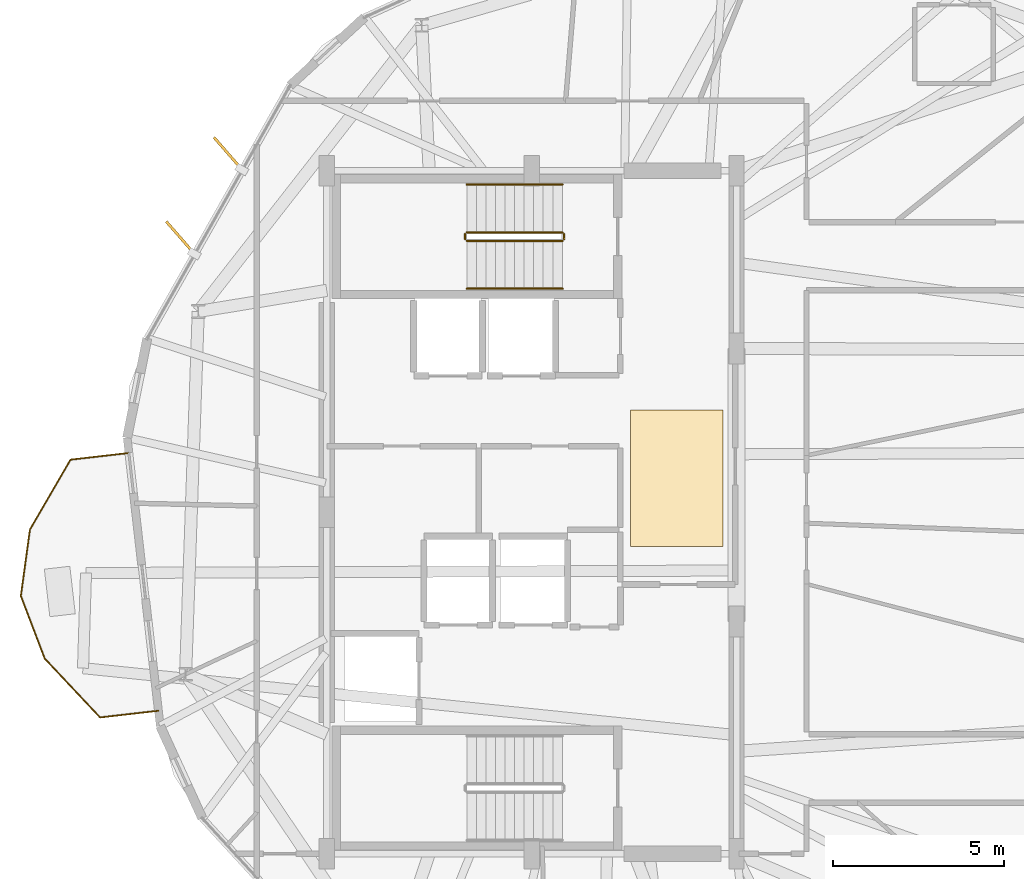
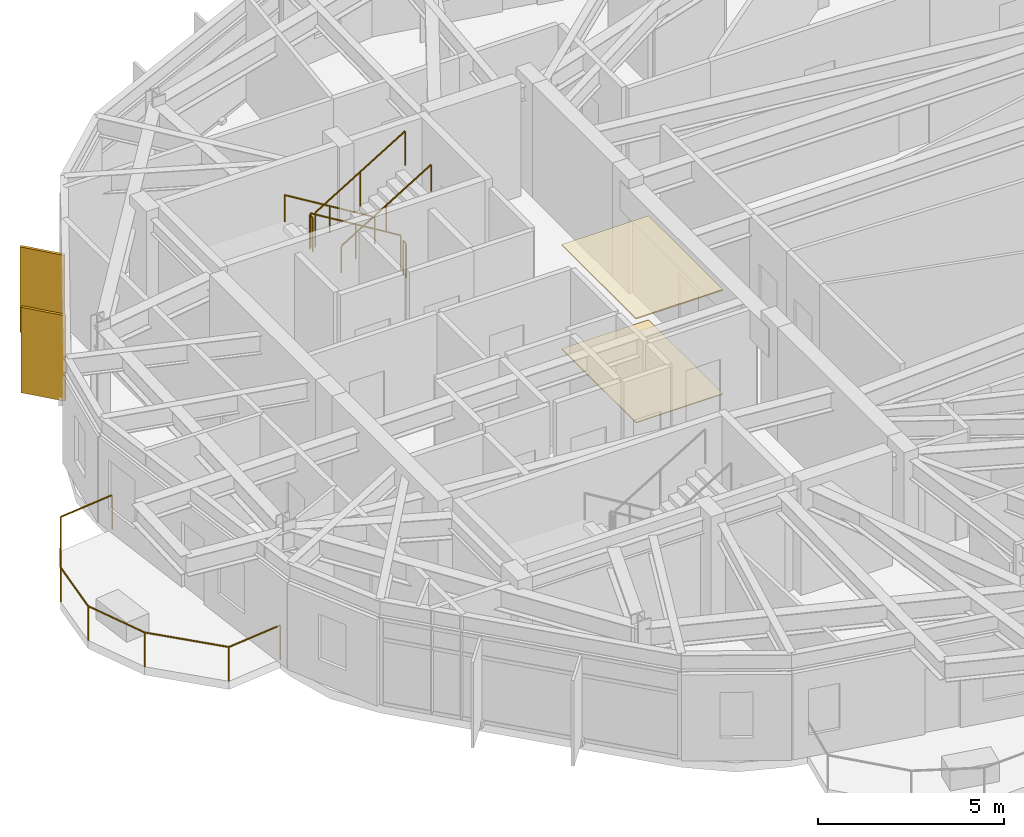
# One storey, part 22 of 23: 7 railings, 2 coverings, 2 shading devices.
"""IFC4 building model written with IfcOpenShell, lengths in metres."""

from ifc_helpers import new_model, si_unit, direction, frame, origin, origin_2d, place, context, subcontext, project, spatial, polyline, rectangle, circle, outline, extrude, material, layer, layer_set, type_object, element, save


model = new_model("IFC4")

# Units and contexts
model_context = context("Model", 3, precision=1e-05, world=origin(), true_north=direction((0.0, 1.0)))
body_context = subcontext(model_context, "Body", "Model", "MODEL_VIEW")
ifc_project = project(units=[si_unit("LENGTHUNIT", "METRE"), si_unit("AREAUNIT", "SQUARE_METRE"), si_unit("VOLUMEUNIT", "CUBIC_METRE"), si_unit("PLANEANGLEUNIT", "RADIAN"), si_unit("MASSUNIT", "GRAM", prefix="KILO")], contexts=[model_context])

# Site, building, storey
site_placement = place(None, origin())
site = spatial("IfcSite", under=ifc_project, at=site_placement, CompositionType="ELEMENT")
building_placement = place(site_placement, origin())
building = spatial("IfcBuilding", under=site, at=building_placement, Name="Soratama Intermodal Tower", CompositionType="ELEMENT")
storey_placement = place(building_placement, frame((0.0, 0.0, 261.25)))
storey = spatial("IfcBuildingStorey", under=building, at=storey_placement, Name="L66", CompositionType="ELEMENT", Elevation=261.25)

# Coverings
ifc_material_1 = material(Name="Perforated mineral acoustic ceiling", Category="concrete")
ifc_layer_1 = layer(ifc_material_1, 0.0400390625)
ifc_layer_set_1 = layer_set([ifc_layer_1], Name="Perforated mineral acoustic ceiling")
covering_type_1 = type_object("IfcCoveringType", Name="CV-CEIL-ACOUSTIC", PredefinedType="CEILING", material=ifc_layer_set_1)
covering_1_placement = place(storey_placement, frame((0.0, 0.0, 3.409912109375)))
element("IfcCovering", 1, at=covering_1_placement, inside=storey, type_object=covering_type_1, Name="L66 Acoustic Ceiling", PredefinedType="CEILING", context=body_context, shape_type="SweptSolid", body=[
    extrude(outline(polyline([(41.5, 24.0), (44.199951171875, 24.0), (44.199951171875, 28.0), (41.5, 28.0), (41.5, 24.0)])), origin(), (0.0, 0.0, 1.0), 0.0400390625),
])
ifc_material_2 = material(Name="Polished Andean stone terrazzo flooring", Category="masonry")
ifc_layer_2 = layer(ifc_material_2, 0.030029296875)
ifc_layer_set_2 = layer_set([ifc_layer_2], Name="Polished Andean stone terrazzo flooring")
covering_type_2 = type_object("IfcCoveringType", Name="CV-FLOR-TERRAZZO", PredefinedType="FLOORING", material=ifc_layer_set_2)
covering_2_placement = place(storey_placement, origin())
element("IfcCovering", 2, at=covering_2_placement, inside=storey, type_object=covering_type_2, Name="L66 Lobby Terrazzo Flooring", PredefinedType="FLOORING", context=body_context, shape_type="SweptSolid", body=[
    extrude(outline(polyline([(41.5, 24.0), (44.199951171875, 24.0), (44.199951171875, 28.0), (41.5, 28.0), (41.5, 24.0)])), origin(), (0.0, 0.0, 1.0), 0.030029296875),
])

# Railings
ifc_material_3 = material(Name="Laminated glass and stainless steel balustrade", Category="steel")
railing_type_1 = type_object("IfcRailingType", Name="RL-BAL-1150", PredefinedType="BALUSTRADE", material=ifc_material_3)
railing_1_placement = place(storey_placement, frame((27.669189453125, 19.1884765625, 0.0)))
element("IfcRailing", 3, at=railing_1_placement, inside=storey, type_object=railing_type_1, Name="L66 Balcony Balustrade 2", PredefinedType="BALUSTRADE", context=body_context, shape_type="SweptSolid", body=[
    extrude(circle(Radius=0.02392578125, at=origin_2d()), frame((0.0, 0.0, 1.1259765625), z_axis=(-0.99348270687, -0.113982942366, 0.0), x_axis=(0.113982942366, -0.99348270687, 0.0)), (0.0, 0.0, 1.0), 1.719970703125),
    extrude(circle(Radius=0.02392578125, at=origin_2d()), frame((-1.708740234375, -0.196044921875, 1.1259765625), z_axis=(-0.684763375429, 0.728765476454, 0.0), x_axis=(-0.728765476454, -0.684763375429, 0.0)), (0.0, 0.0, 1.0), 2.369140625),
    extrude(circle(Radius=0.02392578125, at=origin_2d()), frame((-3.3310546875, 1.530517578125, 1.1259765625), z_axis=(-0.356098878359, 0.934448280448, 0.0), x_axis=(-0.934448280448, -0.356098878359, 0.0)), (0.0, 0.0, 1.0), 1.960693359375),
    extrude(circle(Radius=0.02392578125, at=origin_2d()), frame((-4.029296875, 3.36279296875, 1.1259765625), z_axis=(0.13533543904, 0.990799837979, 0.0), x_axis=(-0.990799837979, 0.13533543904, 0.0)), (0.0, 0.0, 1.0), 1.9609375),
    extrude(circle(Radius=0.02392578125, at=origin_2d()), frame((-3.763916015625, 5.3056640625, 1.1259765625), z_axis=(0.502120599313, 0.864797608545, 0.0), x_axis=(-0.864797608545, 0.502120599313, 0.0)), (0.0, 0.0, 1.0), 2.368896484375),
    extrude(circle(Radius=0.02392578125, at=origin_2d()), frame((-2.574462890625, 7.354248046875, 1.1259765625), z_axis=(0.993484550663, 0.113966870597, 0.0), x_axis=(-0.113966870597, 0.993484550663, 0.0)), (0.0, 0.0, 1.0), 1.72021484375),
    extrude(circle(Radius=0.02099609375, at=origin_2d()), origin(), (0.0, 0.0, 1.0), 1.101806640625),
    extrude(circle(Radius=0.02099609375, at=origin_2d()), frame((-1.708740234375, -0.196044921875, 0.0)), (0.0, 0.0, 1.0), 1.101806640625),
    extrude(circle(Radius=0.02099609375, at=origin_2d()), frame((-3.3310546875, 1.530517578125, 0.0)), (0.0, 0.0, 1.0), 1.101806640625),
    extrude(circle(Radius=0.02099609375, at=origin_2d()), frame((-4.029296875, 3.36279296875, 0.0)), (0.0, 0.0, 1.0), 1.101806640625),
    extrude(circle(Radius=0.02099609375, at=origin_2d()), frame((-3.763916015625, 5.3056640625, 0.0)), (0.0, 0.0, 1.0), 1.101806640625),
    extrude(circle(Radius=0.02099609375, at=origin_2d()), frame((-2.574462890625, 7.354248046875, 0.0)), (0.0, 0.0, 1.0), 1.101806640625),
    extrude(circle(Radius=0.02099609375, at=origin_2d()), frame((-0.865478515625, 7.55029296875, 0.0)), (0.0, 0.0, 1.0), 1.101806640625),
])
ifc_material_4 = material(Name="Painted steel stair guardrail", Category="steel")
railing_type_2 = type_object("IfcRailingType", Name="RL-STAIR-GUARD", PredefinedType="GUARDRAIL", material=ifc_material_4)
railing_2_placement = place(storey_placement, frame((39.5, 33.199951171875, 0.17041015625)))
element("IfcRailing", 4, at=railing_2_placement, inside=storey, type_object=railing_type_2, Name="L66 ST-2 stair guard 1", PredefinedType="GUARDRAIL", context=body_context, shape_type="SweptSolid", body=[
    extrude(circle(Radius=0.02392578125, at=origin_2d()), frame((0.0, 0.0, 1.1259765625), z_axis=(-0.854169791009, 0.0, 0.51999420009), x_axis=(0.0, -1.0, 0.0)), (0.0, 0.0, 1.0), 3.278076171875),
    extrude(circle(Radius=0.02099609375, at=origin_2d()), origin(), (0.0, 0.0, 1.0), 1.101806640625),
    extrude(circle(Radius=0.02099609375, at=origin_2d()), frame((-1.39990234375, 0.0, 0.852294921875)), (0.0, 0.0, 1.0), 1.101806640625),
    extrude(circle(Radius=0.02099609375, at=origin_2d()), frame((-2.800048828125, 0.0, 1.70458984375)), (0.0, 0.0, 1.0), 1.101806640625),
])
railing_3_placement = place(storey_placement, frame((36.64990234375, 33.14990234375, 1.875)))
element("IfcRailing", 5, at=railing_3_placement, inside=storey, type_object=railing_type_2, Name="L66 ST-2 stair guard 2", PredefinedType="GUARDRAIL", context=body_context, shape_type="SweptSolid", body=[
    extrude(circle(Radius=0.02392578125, at=origin_2d()), frame((0.0, 0.0, 1.1259765625), z_axis=(0.0, -1.0, 0.0), x_axis=(1.0, 0.0, 0.0)), (0.0, 0.0, 1.0), 0.14990234375),
    extrude(circle(Radius=0.02099609375, at=origin_2d()), origin(), (0.0, 0.0, 1.0), 1.101806640625),
    extrude(circle(Radius=0.02099609375, at=origin_2d()), frame((0.0, -0.14990234375, 0.0)), (0.0, 0.0, 1.0), 1.101806640625),
])
railing_4_placement = place(storey_placement, frame((36.699951171875, 32.949951171875, 2.04541015625)))
element("IfcRailing", 6, at=railing_4_placement, inside=storey, type_object=railing_type_2, Name="L66 ST-2 stair guard 3", PredefinedType="GUARDRAIL", context=body_context, shape_type="SweptSolid", body=[
    extrude(circle(Radius=0.02392578125, at=origin_2d()), frame((0.0, 0.0, 1.1259765625), z_axis=(0.854169791009, 0.0, 0.51999420009), x_axis=(0.0, 1.0, 0.0)), (0.0, 0.0, 1.0), 3.278076171875),
    extrude(circle(Radius=0.02099609375, at=origin_2d()), origin(), (0.0, 0.0, 1.0), 1.101806640625),
    extrude(circle(Radius=0.02099609375, at=origin_2d()), frame((1.39990234375, 0.0, 0.852294921875)), (0.0, 0.0, 1.0), 1.101806640625),
    extrude(circle(Radius=0.02099609375, at=origin_2d()), frame((2.800048828125, 0.0, 1.70458984375)), (0.0, 0.0, 1.0), 1.101806640625),
])
railing_5_placement = place(storey_placement, frame((39.550048828125, 33.14990234375, 0.0)))
element("IfcRailing", 7, at=railing_5_placement, inside=storey, type_object=railing_type_2, Name="L66 ST-2 stair guard 4", PredefinedType="GUARDRAIL", context=body_context, shape_type="SweptSolid", body=[
    extrude(circle(Radius=0.02392578125, at=origin_2d()), frame((0.0, 0.0, 1.1259765625), z_axis=(0.0, -1.0, 0.0), x_axis=(1.0, 0.0, 0.0)), (0.0, 0.0, 1.0), 0.14990234375),
    extrude(circle(Radius=0.02099609375, at=origin_2d()), origin(), (0.0, 0.0, 1.0), 1.101806640625),
    extrude(circle(Radius=0.02099609375, at=origin_2d()), frame((0.0, -0.14990234375, 0.0)), (0.0, 0.0, 1.0), 1.101806640625),
])
ifc_material_5 = material(Name="Brushed stainless steel handrail", Category="steel")
railing_type_3 = type_object("IfcRailingType", Name="RL-STAIR-HAND", PredefinedType="HANDRAIL", material=ifc_material_5)
railing_6_placement = place(storey_placement, frame((39.5, 34.60009765625, 0.17041015625)))
element("IfcRailing", 8, at=railing_6_placement, inside=storey, type_object=railing_type_3, Name="L66 ST-2 stair handrail 1", PredefinedType="HANDRAIL", context=body_context, shape_type="SweptSolid", body=[
    extrude(circle(Radius=0.02392578125, at=origin_2d()), frame((0.0, 0.0, 0.8759765625), z_axis=(-0.854169791009, 0.0, 0.51999420009), x_axis=(0.0, -1.0, 0.0)), (0.0, 0.0, 1.0), 3.278076171875),
    extrude(circle(Radius=0.02099609375, at=origin_2d()), origin(), (0.0, 0.0, 1.0), 0.851806640625),
    extrude(circle(Radius=0.02099609375, at=origin_2d()), frame((-1.39990234375, 0.0, 0.852294921875)), (0.0, 0.0, 1.0), 0.851806640625),
    extrude(circle(Radius=0.02099609375, at=origin_2d()), frame((-2.800048828125, 0.0, 1.70458984375)), (0.0, 0.0, 1.0), 0.851806640625),
])
railing_7_placement = place(storey_placement, frame((36.699951171875, 31.550048828125, 2.04541015625)))
element("IfcRailing", 9, at=railing_7_placement, inside=storey, type_object=railing_type_3, Name="L66 ST-2 stair handrail 2", PredefinedType="HANDRAIL", context=body_context, shape_type="SweptSolid", body=[
    extrude(circle(Radius=0.02392578125, at=origin_2d()), frame((0.0, 0.0, 0.8759765625), z_axis=(0.854169791009, 0.0, 0.51999420009), x_axis=(0.0, 1.0, 0.0)), (0.0, 0.0, 1.0), 3.278076171875),
    extrude(circle(Radius=0.02099609375, at=origin_2d()), origin(), (0.0, 0.0, 1.0), 0.851806640625),
    extrude(circle(Radius=0.02099609375, at=origin_2d()), frame((1.39990234375, 0.0, 0.852294921875)), (0.0, 0.0, 1.0), 0.851806640625),
    extrude(circle(Radius=0.02099609375, at=origin_2d()), frame((2.800048828125, 0.0, 1.70458984375)), (0.0, 0.0, 1.0), 0.851806640625),
])

# Shading devices
ifc_material_6 = material(Name="Champagne anodised aluminium solar fin", Category="aluminium")
ifc_layer_3 = layer(ifc_material_6, 0.080078125)
ifc_layer_set_3 = layer_set([ifc_layer_3], Name="Champagne anodised aluminium solar fin")
shading_device_type = type_object("IfcShadingDeviceType", Name="SH-FIN-1250", PredefinedType="USERDEFINED", material=ifc_layer_set_3)
for number, where, z_axis, x_axis, name in (
    (10, (29.70458984375, 35.512939453125, 0.02001953125), (0.0, 0.0, 1.0), (-0.657638248986, 0.753333879147, 0.0), "L66 Solar Fin F03-1"),
    (11, (28.31103515625, 33.0458984375, 0.02001953125), (0.0, 0.0, 1.0), (-0.657638248986, 0.753333879147, 0.0), "L66 Solar Fin F03-2"),
):
    element("IfcShadingDevice", number, at=place(storey_placement, frame(where, z_axis=z_axis, x_axis=x_axis)), inside=storey, type_object=shading_device_type, Name=name, ObjectType="FIN", PredefinedType="USERDEFINED", context=body_context, shape_type="SweptSolid", body=[
        extrude(rectangle(XDim=1.25, YDim=0.080078125, at=origin_2d()), origin(), (0.0, 0.0, 1.0), 2.80908203125),
    ])

save(model, "model.ifc")
